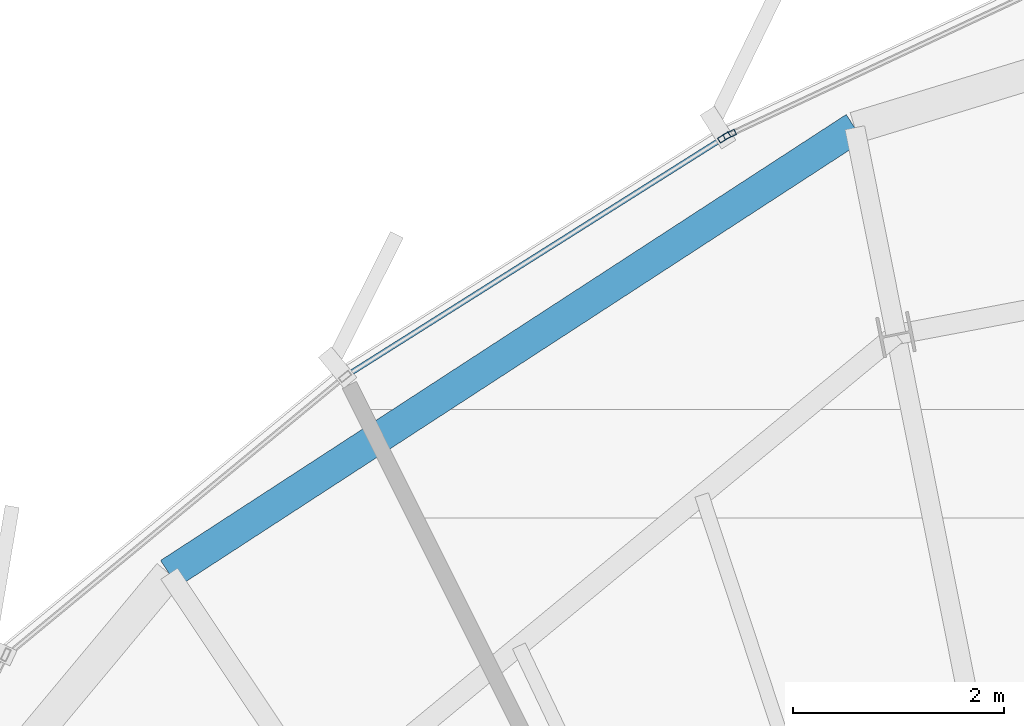
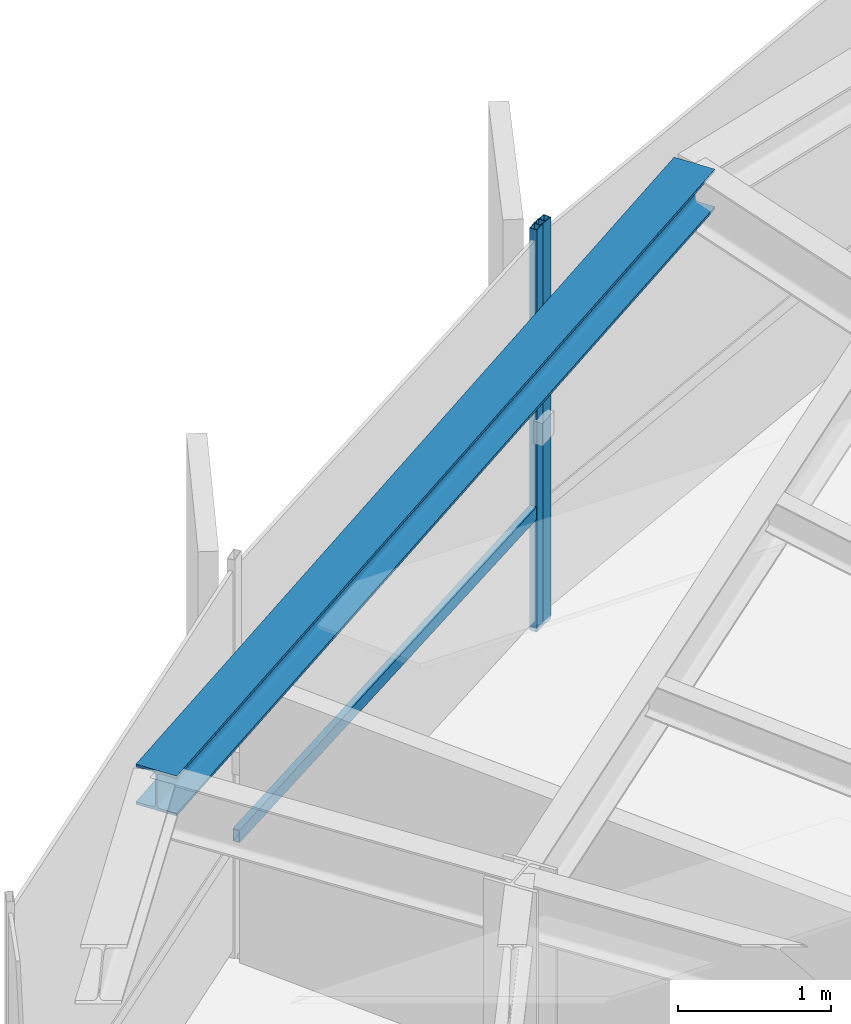
# One storey, part 21 of 36: 3 members, 1 beam, 2 elements without a shape of their own.
"""IFC4 building model written with IfcOpenShell, lengths in metres."""

from ifc_helpers import new_model, si_unit, direction, frame, origin, origin_2d, place, context, subcontext, project, spatial, hollow_rectangle, i_section, extrude, source, transform, mapped, material, layer, layer_set, material_profile, profile_set, type_object, element, aggregate, save


model = new_model("IFC4")

# Units and contexts
model_context = context("Model", 3, precision=1e-05, world=origin(), true_north=direction((0.0, 1.0)))
body_context = subcontext(model_context, "Body", "Model", "MODEL_VIEW")
ifc_project = project(units=[si_unit("LENGTHUNIT", "METRE"), si_unit("AREAUNIT", "SQUARE_METRE"), si_unit("VOLUMEUNIT", "CUBIC_METRE"), si_unit("PLANEANGLEUNIT", "RADIAN"), si_unit("MASSUNIT", "GRAM", prefix="KILO"), si_unit("THERMODYNAMICTEMPERATUREUNIT", "KELVIN")], contexts=[model_context])

# Site, building, storey
site_placement = place(None, origin())
site = spatial("IfcSite", under=ifc_project, at=site_placement, CompositionType="ELEMENT")
building_placement = place(site_placement, origin())
building = spatial("IfcBuilding", under=site, at=building_placement, Name="Kethvar Cultural Tower", CompositionType="ELEMENT")
storey_placement = place(building_placement, frame((0.0, 0.0, 242.199951171875)))
storey = spatial("IfcBuildingStorey", under=building, at=storey_placement, Name="L63", CompositionType="ELEMENT", Elevation=242.199951171875)

# Beam
ifc_material_1 = material(Name="Steel S355J2", Category="steel")
ifc_material_profile_1 = material_profile(ifc_material_1, i_section(OverallWidth=0.300048828125, OverallDepth=0.320068359375, WebThickness=0.011474609375, FlangeThickness=0.0205078125, FilletRadius=0.027099609375, at=origin_2d()), Name="Steel S355J2 — HEB320")
ifc_profile_set_1 = profile_set([ifc_material_profile_1], Name="Steel S355J2 — HEB320")
beam_type = type_object("IfcBeamType", Name="BM-SP320", PredefinedType="SPANDREL", material=ifc_profile_set_1)
shared_shape_1 = source(origin(), body_context, "Body", "SweptSolid", [
    extrude(i_section(OverallWidth=0.300048828125, OverallDepth=0.320068359375, WebThickness=0.011474609375, FlangeThickness=0.0205078125, FilletRadius=0.027099609375, at=origin_2d()), origin(), (0.0, 0.0, 1.0), 7.763427734375),
])
beam_placement = place(storey_placement, frame((42.84228515625, 47.69580078125, 3.048095703125), z_axis=(-0.838276886301, -0.545244772459, 0.0), x_axis=(0.545244772459, -0.838276886301, 0.0)))
element("IfcBeam", 1, at=beam_placement, inside=storey, type_object=beam_type, Name="L63 Perimeter Spandrel Beam SP-05", PredefinedType="SPANDREL", context=body_context, shape_type="MappedRepresentation", body=[
    mapped(shared_shape_1, transform((0.0, 0.0, 0.0), scale=1.0)),
])

# Curtain wall, member
ifc_material_2 = material(Name="Aluminium 6063-T6", Category="aluminium")
ifc_layer = layer(ifc_material_2, 0.179931640625, Name="Aluminium 6063-T6", Category="aluminium")
ifc_layer_set = layer_set([ifc_layer], Name="Aluminium 6063-T6 (180 mm)")
curtain_wall_type = type_object("IfcCurtainWallType", Name="CW-SYS-05-Z56", PredefinedType="NOTDEFINED", material=ifc_layer_set)
curtain_wall_1_placement = place(storey_placement, origin())
curtain_wall_1 = element("IfcCurtainWall", 2, at=curtain_wall_1_placement, inside=storey, type_object=curtain_wall_type, Name="L63 Curtain Wall Run 01", PredefinedType="NOTDEFINED")
ifc_material_profile_2 = material_profile(ifc_material_2, hollow_rectangle(XDim=0.054931640625, YDim=0.1201171875, WallThickness=0.00390625, at=origin_2d()), Name="Aluminium 6063-T6 — RHS120x55x4")
ifc_profile_set_2 = profile_set([ifc_material_profile_2], Name="Aluminium 6063-T6 — RHS120x55x4")
member_type_1 = type_object("IfcMemberType", Name="CW-SYS-05-Z56-MUL", PredefinedType="MULLION", material=ifc_profile_set_2)
shared_shape_2 = source(origin(), body_context, "Body", "SweptSolid", [
    extrude(hollow_rectangle(XDim=0.054931640625, YDim=0.1201171875, WallThickness=0.00390625, at=origin_2d()), origin(), (0.0, 0.0, 1.0), 3.2099609375),
])
member_1_placement = place(storey_placement, frame((41.654052734375, 47.6318359375, 0.0), z_axis=(0.0, 0.0, 1.0), x_axis=(0.424468091741, -0.90544289665, 0.0)))
member_1 = element("IfcMember", 3, at=member_1_placement, type_object=member_type_1, Name="CW-L63-R01 Mullion 7", PredefinedType="MULLION", context=body_context, shape_type="MappedRepresentation", body=[
    mapped(shared_shape_2, transform((0.0, 0.0, 0.0), scale=1.0)),
])
aggregate(curtain_wall_1, [member_1])

# Curtain wall, members
curtain_wall_2_placement = place(storey_placement, origin())
curtain_wall_2 = element("IfcCurtainWall", 4, at=curtain_wall_2_placement, inside=storey, type_object=curtain_wall_type, Name="L63 Curtain Wall Run 02", PredefinedType="NOTDEFINED")
member_2_placement = place(storey_placement, frame((41.602294921875, 47.603515625, 0.0), z_axis=(0.0, 0.0, 1.0), x_axis=(0.533378323351, -0.84587680201, 0.0)))
member_2 = element("IfcMember", 5, at=member_2_placement, type_object=member_type_1, Name="CW-L63-R02 Mullion 1", PredefinedType="MULLION", context=body_context, shape_type="MappedRepresentation", body=[
    mapped(shared_shape_2, transform((0.0, 0.0, 0.0), scale=1.0)),
])
ifc_material_profile_3 = material_profile(ifc_material_2, hollow_rectangle(XDim=0.050048828125, YDim=0.10009765625, WallThickness=0.00390625, at=origin_2d()), Name="Aluminium 6063-T6 — RHS100x50x4")
ifc_profile_set_3 = profile_set([ifc_material_profile_3], Name="Aluminium 6063-T6 — RHS100x50x4")
member_type_2 = type_object("IfcMemberType", Name="CW-SYS-05-Z56-TRN", PredefinedType="USERDEFINED", material=ifc_profile_set_3)
shared_shape_3 = source(origin(), body_context, "Body", "SweptSolid", [
    extrude(hollow_rectangle(XDim=0.050048828125, YDim=0.10009765625, WallThickness=0.00390625, at=origin_2d()), origin(), (0.0, 0.0, 1.0), 4.223388671875),
])
member_3_placement = place(storey_placement, frame((41.59912109375, 47.6015625, 0.949951171875), z_axis=(-0.845877411059, -0.533377357469, 0.0), x_axis=(0.533377357469, -0.845877411059, 0.0)))
member_3 = element("IfcMember", 6, at=member_3_placement, type_object=member_type_2, Name="CW-L63-R02 Transom 1", ObjectType="TRANSOM", PredefinedType="USERDEFINED", context=body_context, shape_type="MappedRepresentation", body=[
    mapped(shared_shape_3, transform((0.0, 0.0, 0.0), scale=1.0)),
])
aggregate(curtain_wall_2, [member_2, member_3])

save(model, "model.ifc")
